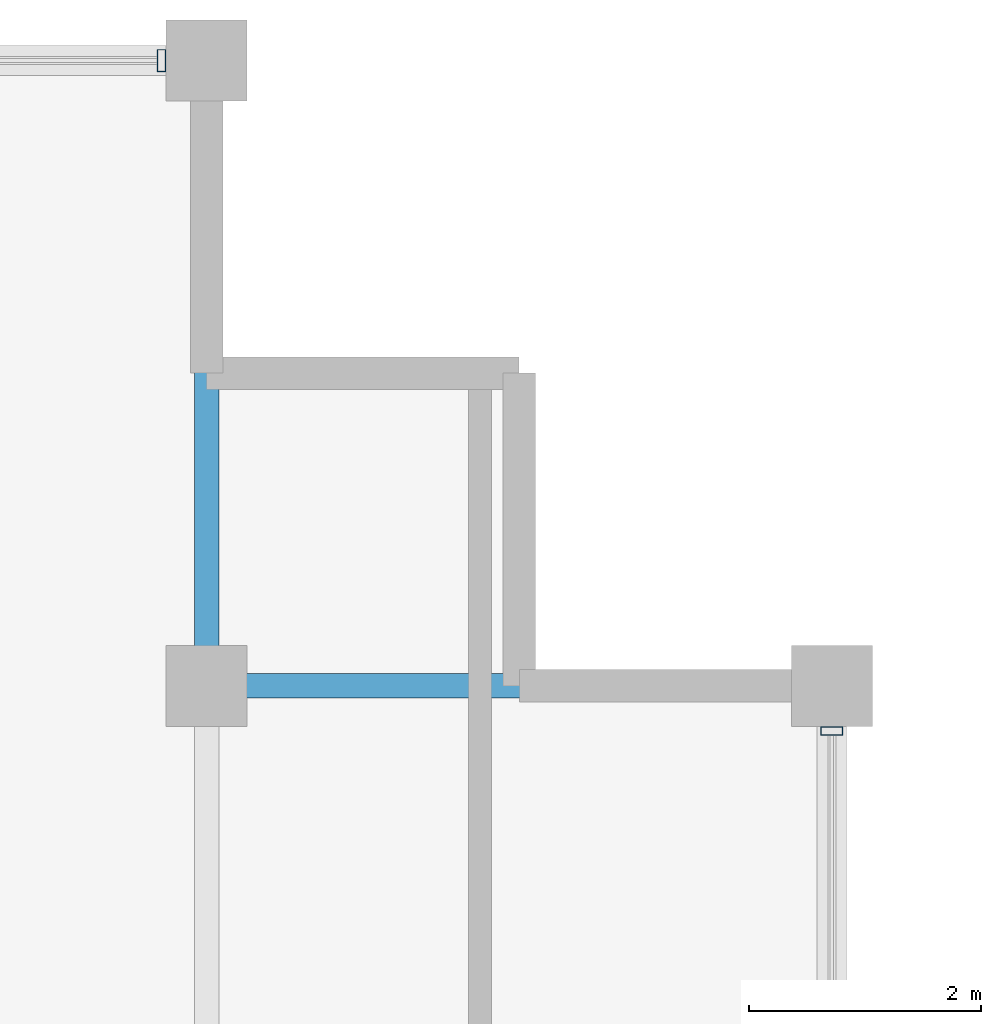
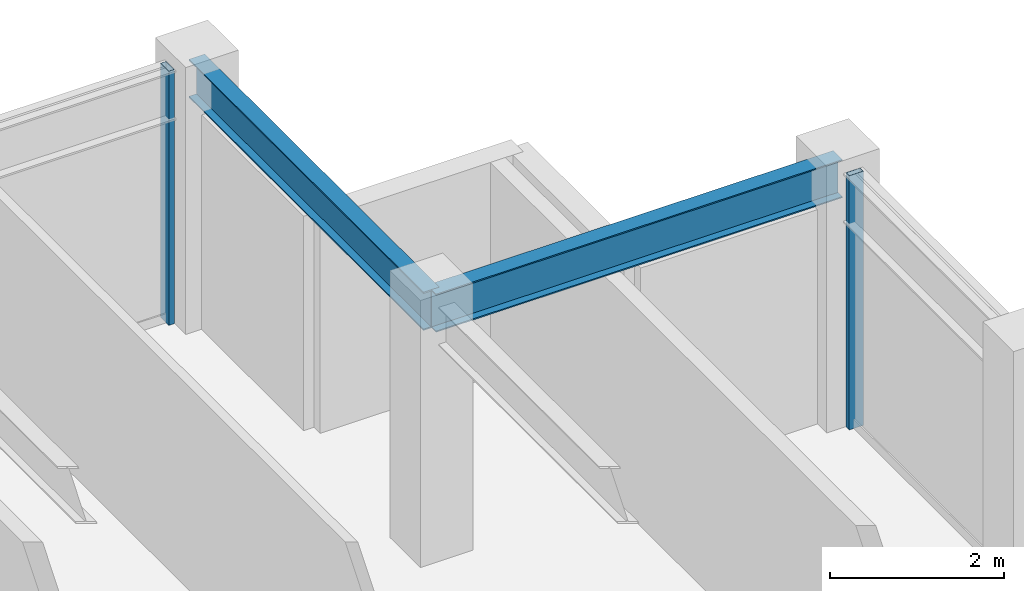
# One storey, part 21 of 31: 2 beams, 2 members, 2 elements without a shape of their own.
"""IFC4 building model written with IfcOpenShell, lengths in metres."""

from ifc_helpers import new_model, si_unit, direction, frame, origin, origin_2d, place, context, subcontext, project, spatial, hollow_rectangle, i_section, extrude, material, layer, layer_set, material_profile, profile_set, type_object, element, aggregate, save


model = new_model("IFC4")

# Units and contexts
model_context = context("Model", 3, precision=1e-05, world=origin(), true_north=direction((0.0, 1.0)))
body_context = subcontext(model_context, "Body", "Model", "MODEL_VIEW")
ifc_project = project(units=[si_unit("LENGTHUNIT", "METRE"), si_unit("AREAUNIT", "SQUARE_METRE"), si_unit("VOLUMEUNIT", "CUBIC_METRE"), si_unit("PLANEANGLEUNIT", "RADIAN"), si_unit("MASSUNIT", "GRAM", prefix="KILO")], contexts=[model_context])

# Site, building, storey
site_placement = place(None, origin())
site = spatial("IfcSite", under=ifc_project, at=site_placement, CompositionType="ELEMENT")
building_placement = place(site_placement, origin())
building = spatial("IfcBuilding", under=site, at=building_placement, Name="Surkhivell Harbour Commons", CompositionType="ELEMENT")
storey_placement = place(building_placement, frame((0.0, 0.0, 315.0)))
storey = spatial("IfcBuildingStorey", under=building, at=storey_placement, Name="L82", CompositionType="ELEMENT", Elevation=315.0)

# Beams
ifc_material_1 = material(Name="Steel S355", Category="steel")
ifc_material_profile_1 = material_profile(ifc_material_1, i_section(OverallWidth=0.2099609375, OverallDepth=0.537109375, WebThickness=0.0107421875, FlangeThickness=0.017333984375, at=origin_2d()), Name="UB533x210x101")
ifc_profile_set_1 = profile_set([ifc_material_profile_1], Name="Steel S355")
beam_type = type_object("IfcBeamType", Name="BM-GRD-533B", PredefinedType="BEAM", material=ifc_profile_set_1)
for number, where, z_axis, x_axis, name in (
    (1, (10.800048828125, 20.5, 3.301513671875), (0.0, 1.0, 0.0), (-1.0, 0.0, 0.0), "L82 Floor Girder (10.8,20.5)"),
    (2, (10.800048828125, 20.5, 3.301513671875), (1.0, 0.0, 0.0), (0.0, 1.0, 0.0), "L82 Floor Girder (10.8,20.5)"),
):
    element("IfcBeam", number, at=place(storey_placement, frame(where, z_axis=z_axis, x_axis=x_axis)), inside=storey, type_object=beam_type, Name=name, PredefinedType="BEAM", context=body_context, shape_type="SweptSolid", body=[
        extrude(i_section(OverallWidth=0.2099609375, OverallDepth=0.537109375, WebThickness=0.0107421875, FlangeThickness=0.017333984375, at=origin_2d()), origin(), (0.0, 0.0, 1.0), 5.39990234375),
    ])

# Curtain wall, member
ifc_material_2 = material(Name="Anodised pale-metal aluminium and insulated glazing", Category="aluminium")
ifc_layer = layer(ifc_material_2, 0.175048828125)
ifc_layer_set = layer_set([ifc_layer], Name="Anodised pale-metal aluminium and insulated glazing")
curtain_wall_type = type_object("IfcCurtainWallType", Name="CW-SYS-Z4", PredefinedType="NOTDEFINED", material=ifc_layer_set)
curtain_wall_1_placement = place(storey_placement, origin())
curtain_wall_1 = element("IfcCurtainWall", 3, at=curtain_wall_1_placement, inside=storey, type_object=curtain_wall_type, Name="L82 Curtain Wall CW-L82-E02R1", PredefinedType="NOTDEFINED")
ifc_material_3 = material(Name="Anodised pale-metal aluminium alloy 6063-T6", Category="aluminium")
ifc_material_profile_2 = material_profile(ifc_material_3, hollow_rectangle(XDim=0.074951171875, YDim=0.18994140625, WallThickness=0.00390625, at=origin_2d()), Name="ALU-MULL-75x190")
ifc_profile_set_2 = profile_set([ifc_material_profile_2], Name="Anodised pale-metal aluminium alloy 6063-T6")
member_type = type_object("IfcMemberType", Name="CWM-190", PredefinedType="MULLION", material=ifc_profile_set_2)
member_1_placement = place(storey_placement, frame((16.199951171875, 20.110595703125, 0.0), z_axis=(0.0, 0.0, 1.0), x_axis=(0.0, 1.0, 0.0)))
member_1 = element("IfcMember", 4, at=member_1_placement, type_object=member_type, Name="CW-Z4 mullion 5", PredefinedType="MULLION", context=body_context, shape_type="SweptSolid", body=[
    extrude(hollow_rectangle(XDim=0.074951171875, YDim=0.18994140625, WallThickness=0.00390625, at=origin_2d()), origin(), (0.0, 0.0, 1.0), 3.570068359375),
])
aggregate(curtain_wall_1, [member_1])

curtain_wall_2_placement = place(storey_placement, origin())
curtain_wall_2 = element("IfcCurtainWall", 5, at=curtain_wall_2_placement, inside=storey, type_object=curtain_wall_type, Name="L82 Curtain Wall CW-L82-E07S1", PredefinedType="NOTDEFINED")
member_2_placement = place(storey_placement, frame((10.410400390625, 25.89990234375, 0.0), z_axis=(0.0, 0.0, 1.0), x_axis=(-1.0, 0.0, 0.0)))
member_2 = element("IfcMember", 6, at=member_2_placement, type_object=member_type, Name="CW-Z4 mullion 1", PredefinedType="MULLION", context=body_context, shape_type="SweptSolid", body=[
    extrude(hollow_rectangle(XDim=0.074951171875, YDim=0.18994140625, WallThickness=0.00390625, at=origin_2d()), origin(), (0.0, 0.0, 1.0), 3.570068359375),
])
aggregate(curtain_wall_2, [member_2])

save(model, "model.ifc")
